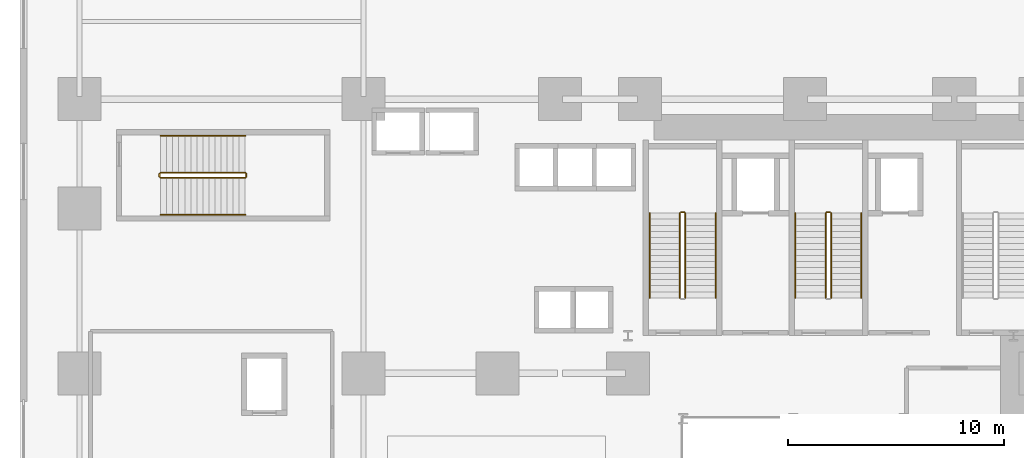
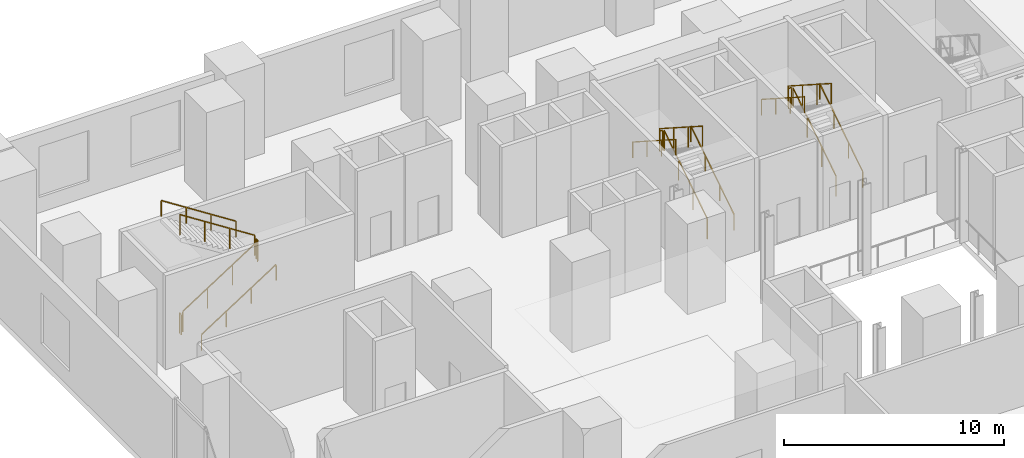
# One storey, part 14 of 15: 16 railings.
"""IFC4 building model written with IfcOpenShell, lengths in metres."""

from ifc_helpers import new_model, si_unit, direction, frame, origin, origin_2d, place, context, subcontext, project, spatial, rectangle, extrude, source, transform, mapped, material, type_object, element, save


model = new_model("IFC4")

# Units and contexts
model_context = context("Model", 3, precision=1e-05, world=origin(), true_north=direction((0.0, 1.0)))
body_context = subcontext(model_context, "Body", "Model", "MODEL_VIEW")
ifc_project = project(units=[si_unit("LENGTHUNIT", "METRE"), si_unit("AREAUNIT", "SQUARE_METRE"), si_unit("VOLUMEUNIT", "CUBIC_METRE"), si_unit("PLANEANGLEUNIT", "RADIAN"), si_unit("MASSUNIT", "GRAM", prefix="KILO")], contexts=[model_context])

# Site, building, storey
site_placement = place(None, origin())
site = spatial("IfcSite", under=ifc_project, at=site_placement, CompositionType="ELEMENT")
building_placement = place(site_placement, origin())
building = spatial("IfcBuilding", under=site, at=building_placement, Name="Vardaveli Station Tower", CompositionType="ELEMENT")
storey_placement = place(building_placement, frame((0.0, 0.0, 6.0)))
storey = spatial("IfcBuildingStorey", under=building, at=storey_placement, Name="L02", CompositionType="ELEMENT", Elevation=6.0)

# Railings
ifc_material = material(Name="Brushed AISI 316 stainless steel", Category="steel")
railing_type_1 = type_object("IfcRailingType", Name="RL-GUARD-1150", PredefinedType="GUARDRAIL", material=ifc_material)
shared_shape_1 = source(origin(), body_context, "Body", "SweptSolid", [
    extrude(rectangle(XDim=0.048095703125, YDim=0.048095703125, at=origin_2d()), frame((0.0, 0.0, 1.1259765625), z_axis=(0.0, 0.841186985886, 0.540744352514), x_axis=(-1.0, 0.0, 0.0)), (0.0, 0.0, 1.0), 4.660400390625),
    extrude(rectangle(XDim=0.0419921875, YDim=0.0419921875, at=origin_2d()), origin(), (0.0, 0.0, 1.0), 1.101806640625),
    extrude(rectangle(XDim=0.0419921875, YDim=0.0419921875, at=origin_2d()), frame((0.0, 1.306640625, 0.840087890625)), (0.0, 0.0, 1.0), 1.101806640625),
    extrude(rectangle(XDim=0.0419921875, YDim=0.0419921875, at=origin_2d()), frame((0.0, 2.613525390625, 1.679931640625)), (0.0, 0.0, 1.0), 1.101806640625),
    extrude(rectangle(XDim=0.0419921875, YDim=0.0419921875, at=origin_2d()), frame((0.0, 3.920166015625, 2.52001953125)), (0.0, 0.0, 1.0), 1.101806640625),
])
for number, where, name in (
    (1, (31.300048828125, 32.39990234375, 0.179931640625), "L02 ST-1 stair guard 1"),
    (2, (38.050048828125, 32.39990234375, 0.179931640625), "L02 ST-2 stair guard 1"),
):
    element("IfcRailing", number, at=place(storey_placement, frame(where)), inside=storey, type_object=railing_type_1, Name=name, PredefinedType="GUARDRAIL", context=body_context, shape_type="MappedRepresentation", body=[
        mapped(shared_shape_1, transform((0.0, 0.0, 0.0), scale=1.0)),
    ])
shared_shape_2 = source(origin(), body_context, "Body", "SweptSolid", [
    extrude(rectangle(XDim=0.048095703125, YDim=0.048095703125, at=origin_2d()), frame((0.0, 0.0, 1.1259765625), z_axis=(-1.0, 0.0, 0.0), x_axis=(0.0, -1.0, 0.0)), (0.0, 0.0, 1.0), 0.14990234375),
    extrude(rectangle(XDim=0.0419921875, YDim=0.0419921875, at=origin_2d()), origin(), (0.0, 0.0, 1.0), 1.101806640625),
    extrude(rectangle(XDim=0.0419921875, YDim=0.0419921875, at=origin_2d()), frame((-0.14990234375, 0.0, 0.0)), (0.0, 0.0, 1.0), 1.101806640625),
])
for number, where, name in (
    (3, (31.25, 36.3701171875, 2.699951171875), "L02 ST-1 stair guard 2"),
    (4, (38.0, 36.3701171875, 2.699951171875), "L02 ST-2 stair guard 2"),
):
    element("IfcRailing", number, at=place(storey_placement, frame(where)), inside=storey, type_object=railing_type_1, Name=name, PredefinedType="GUARDRAIL", context=body_context, shape_type="MappedRepresentation", body=[
        mapped(shared_shape_2, transform((0.0, 0.0, 0.0), scale=1.0)),
    ])
shared_shape_3 = source(origin(), body_context, "Body", "SweptSolid", [
    extrude(rectangle(XDim=0.048095703125, YDim=0.048095703125, at=origin_2d()), frame((0.0, 0.0, 1.1259765625), z_axis=(0.0, -0.841186985886, 0.540744352514), x_axis=(1.0, 0.0, 0.0)), (0.0, 0.0, 1.0), 4.660400390625),
    extrude(rectangle(XDim=0.0419921875, YDim=0.0419921875, at=origin_2d()), origin(), (0.0, 0.0, 1.0), 1.101806640625),
    extrude(rectangle(XDim=0.0419921875, YDim=0.0419921875, at=origin_2d()), frame((0.0, -1.306640625, 0.840087890625)), (0.0, 0.0, 1.0), 1.101806640625),
    extrude(rectangle(XDim=0.0419921875, YDim=0.0419921875, at=origin_2d()), frame((0.0, -2.613525390625, 1.679931640625)), (0.0, 0.0, 1.0), 1.101806640625),
    extrude(rectangle(XDim=0.0419921875, YDim=0.0419921875, at=origin_2d()), frame((0.0, -3.920166015625, 2.52001953125)), (0.0, 0.0, 1.0), 1.101806640625),
])
for number, where, name in (
    (5, (31.050048828125, 36.320068359375, 2.8798828125), "L02 ST-1 stair guard 3"),
    (6, (37.800048828125, 36.320068359375, 2.8798828125), "L02 ST-2 stair guard 3"),
):
    element("IfcRailing", number, at=place(storey_placement, frame(where)), inside=storey, type_object=railing_type_1, Name=name, PredefinedType="GUARDRAIL", context=body_context, shape_type="MappedRepresentation", body=[
        mapped(shared_shape_3, transform((0.0, 0.0, 0.0), scale=1.0)),
    ])
railing_type_2 = type_object("IfcRailingType", Name="RL-HAND-900", PredefinedType="HANDRAIL", material=ifc_material)
shared_shape_4 = source(origin(), body_context, "Body", "SweptSolid", [
    extrude(rectangle(XDim=0.048095703125, YDim=0.048095703125, at=origin_2d()), frame((0.0, 0.0, 0.8759765625), z_axis=(0.0, 0.841186985886, 0.540744352514), x_axis=(-1.0, 0.0, 0.0)), (0.0, 0.0, 1.0), 4.660400390625),
    extrude(rectangle(XDim=0.0419921875, YDim=0.0419921875, at=origin_2d()), origin(), (0.0, 0.0, 1.0), 0.851806640625),
    extrude(rectangle(XDim=0.0419921875, YDim=0.0419921875, at=origin_2d()), frame((0.0, 1.306640625, 0.840087890625)), (0.0, 0.0, 1.0), 0.851806640625),
    extrude(rectangle(XDim=0.0419921875, YDim=0.0419921875, at=origin_2d()), frame((0.0, 2.613525390625, 1.679931640625)), (0.0, 0.0, 1.0), 0.851806640625),
    extrude(rectangle(XDim=0.0419921875, YDim=0.0419921875, at=origin_2d()), frame((0.0, 3.920166015625, 2.52001953125)), (0.0, 0.0, 1.0), 0.851806640625),
])
for number, where, name in (
    (7, (32.699951171875, 32.39990234375, 0.179931640625), "L02 ST-1 stair handrail 1"),
    (8, (39.449951171875, 32.39990234375, 0.179931640625), "L02 ST-2 stair handrail 1"),
):
    element("IfcRailing", number, at=place(storey_placement, frame(where)), inside=storey, type_object=railing_type_2, Name=name, PredefinedType="HANDRAIL", context=body_context, shape_type="MappedRepresentation", body=[
        mapped(shared_shape_4, transform((0.0, 0.0, 0.0), scale=1.0)),
    ])
shared_shape_5 = source(origin(), body_context, "Body", "SweptSolid", [
    extrude(rectangle(XDim=0.048095703125, YDim=0.048095703125, at=origin_2d()), frame((0.0, 0.0, 0.8759765625), z_axis=(0.0, -0.841186985886, 0.540744352514), x_axis=(1.0, 0.0, 0.0)), (0.0, 0.0, 1.0), 4.660400390625),
    extrude(rectangle(XDim=0.0419921875, YDim=0.0419921875, at=origin_2d()), origin(), (0.0, 0.0, 1.0), 0.851806640625),
    extrude(rectangle(XDim=0.0419921875, YDim=0.0419921875, at=origin_2d()), frame((0.0, -1.306640625, 0.840087890625)), (0.0, 0.0, 1.0), 0.851806640625),
    extrude(rectangle(XDim=0.0419921875, YDim=0.0419921875, at=origin_2d()), frame((0.0, -2.613525390625, 1.679931640625)), (0.0, 0.0, 1.0), 0.851806640625),
    extrude(rectangle(XDim=0.0419921875, YDim=0.0419921875, at=origin_2d()), frame((0.0, -3.920166015625, 2.52001953125)), (0.0, 0.0, 1.0), 0.851806640625),
])
for number, where, name in (
    (9, (29.64990234375, 36.320068359375, 2.8798828125), "L02 ST-1 stair handrail 2"),
    (10, (36.39990234375, 36.320068359375, 2.8798828125), "L02 ST-2 stair handrail 2"),
):
    element("IfcRailing", number, at=place(storey_placement, frame(where)), inside=storey, type_object=railing_type_2, Name=name, PredefinedType="HANDRAIL", context=body_context, shape_type="MappedRepresentation", body=[
        mapped(shared_shape_5, transform((0.0, 0.0, 0.0), scale=1.0)),
    ])
shared_shape_6 = source(origin(), body_context, "Body", "SweptSolid", [
    extrude(rectangle(XDim=0.048095703125, YDim=0.048095703125, at=origin_2d()), frame((0.0, 0.0, 1.1259765625), z_axis=(0.841171666519, 0.0, 0.540768182723), x_axis=(0.0, 1.0, 0.0)), (0.0, 0.0, 1.0), 4.66015625),
    extrude(rectangle(XDim=0.0419921875, YDim=0.0419921875, at=origin_2d()), origin(), (0.0, 0.0, 1.0), 1.101806640625),
    extrude(rectangle(XDim=0.0419921875, YDim=0.0419921875, at=origin_2d()), frame((1.306640625, 0.0, 0.840087890625)), (0.0, 0.0, 1.0), 1.101806640625),
    extrude(rectangle(XDim=0.0419921875, YDim=0.0419921875, at=origin_2d()), frame((2.61328125, 0.0, 1.679931640625)), (0.0, 0.0, 1.0), 1.101806640625),
    extrude(rectangle(XDim=0.0419921875, YDim=0.0419921875, at=origin_2d()), frame((3.919921875, 0.0, 2.52001953125)), (0.0, 0.0, 1.0), 1.101806640625),
])
railing_1_placement = place(storey_placement, frame((7.0, 37.949951171875, 0.179931640625)))
element("IfcRailing", 11, at=railing_1_placement, inside=storey, type_object=railing_type_1, Name="L02 ST-P1 stair guard 1", PredefinedType="GUARDRAIL", context=body_context, shape_type="MappedRepresentation", body=[
    mapped(shared_shape_6, transform((0.0, 0.0, 0.0), scale=1.0)),
])
shared_shape_7 = source(origin(), body_context, "Body", "SweptSolid", [
    extrude(rectangle(XDim=0.048095703125, YDim=0.048095703125, at=origin_2d()), frame((0.0, 0.0, 1.1259765625), z_axis=(0.0, 1.0, 0.0), x_axis=(-1.0, 0.0, 0.0)), (0.0, 0.0, 1.0), 0.14990234375),
    extrude(rectangle(XDim=0.0419921875, YDim=0.0419921875, at=origin_2d()), origin(), (0.0, 0.0, 1.0), 1.101806640625),
    extrude(rectangle(XDim=0.0419921875, YDim=0.0419921875, at=origin_2d()), frame((0.0, 0.14990234375, 0.0)), (0.0, 0.0, 1.0), 1.101806640625),
])
for number, where, name in (
    (12, (10.969970703125, 38.0, 2.699951171875), "L02 ST-P1 stair guard 2"),
    (13, (6.949951171875, 38.0, 0.0), "L02 ST-P1 stair guard 4"),
):
    element("IfcRailing", number, at=place(storey_placement, frame(where)), inside=storey, type_object=railing_type_1, Name=name, PredefinedType="GUARDRAIL", context=body_context, shape_type="MappedRepresentation", body=[
        mapped(shared_shape_7, transform((0.0, 0.0, 0.0), scale=1.0)),
    ])
shared_shape_8 = source(origin(), body_context, "Body", "SweptSolid", [
    extrude(rectangle(XDim=0.048095703125, YDim=0.048095703125, at=origin_2d()), frame((0.0, 0.0, 1.1259765625), z_axis=(-0.841171666519, 0.0, 0.540768182723), x_axis=(0.0, -1.0, 0.0)), (0.0, 0.0, 1.0), 4.66015625),
    extrude(rectangle(XDim=0.0419921875, YDim=0.0419921875, at=origin_2d()), origin(), (0.0, 0.0, 1.0), 1.101806640625),
    extrude(rectangle(XDim=0.0419921875, YDim=0.0419921875, at=origin_2d()), frame((-1.306640625, 0.0, 0.840087890625)), (0.0, 0.0, 1.0), 1.101806640625),
    extrude(rectangle(XDim=0.0419921875, YDim=0.0419921875, at=origin_2d()), frame((-2.61328125, 0.0, 1.679931640625)), (0.0, 0.0, 1.0), 1.101806640625),
    extrude(rectangle(XDim=0.0419921875, YDim=0.0419921875, at=origin_2d()), frame((-3.919921875, 0.0, 2.52001953125)), (0.0, 0.0, 1.0), 1.101806640625),
])
railing_2_placement = place(storey_placement, frame((10.919921875, 38.199951171875, 2.8798828125)))
element("IfcRailing", 14, at=railing_2_placement, inside=storey, type_object=railing_type_1, Name="L02 ST-P1 stair guard 3", PredefinedType="GUARDRAIL", context=body_context, shape_type="MappedRepresentation", body=[
    mapped(shared_shape_8, transform((0.0, 0.0, 0.0), scale=1.0)),
])
shared_shape_9 = source(origin(), body_context, "Body", "SweptSolid", [
    extrude(rectangle(XDim=0.048095703125, YDim=0.048095703125, at=origin_2d()), frame((0.0, 0.0, 0.8759765625), z_axis=(0.841171666519, 0.0, 0.540768182723), x_axis=(0.0, 1.0, 0.0)), (0.0, 0.0, 1.0), 4.66015625),
    extrude(rectangle(XDim=0.0419921875, YDim=0.0419921875, at=origin_2d()), origin(), (0.0, 0.0, 1.0), 0.851806640625),
    extrude(rectangle(XDim=0.0419921875, YDim=0.0419921875, at=origin_2d()), frame((1.306640625, 0.0, 0.840087890625)), (0.0, 0.0, 1.0), 0.851806640625),
    extrude(rectangle(XDim=0.0419921875, YDim=0.0419921875, at=origin_2d()), frame((2.61328125, 0.0, 1.679931640625)), (0.0, 0.0, 1.0), 0.851806640625),
    extrude(rectangle(XDim=0.0419921875, YDim=0.0419921875, at=origin_2d()), frame((3.919921875, 0.0, 2.52001953125)), (0.0, 0.0, 1.0), 0.851806640625),
])
railing_3_placement = place(storey_placement, frame((7.0, 36.25, 0.179931640625)))
element("IfcRailing", 15, at=railing_3_placement, inside=storey, type_object=railing_type_2, Name="L02 ST-P1 stair handrail 1", PredefinedType="HANDRAIL", context=body_context, shape_type="MappedRepresentation", body=[
    mapped(shared_shape_9, transform((0.0, 0.0, 0.0), scale=1.0)),
])
shared_shape_10 = source(origin(), body_context, "Body", "SweptSolid", [
    extrude(rectangle(XDim=0.048095703125, YDim=0.048095703125, at=origin_2d()), frame((0.0, 0.0, 0.8759765625), z_axis=(-0.841171666519, 0.0, 0.540768182723), x_axis=(0.0, -1.0, 0.0)), (0.0, 0.0, 1.0), 4.66015625),
    extrude(rectangle(XDim=0.0419921875, YDim=0.0419921875, at=origin_2d()), origin(), (0.0, 0.0, 1.0), 0.851806640625),
    extrude(rectangle(XDim=0.0419921875, YDim=0.0419921875, at=origin_2d()), frame((-1.306640625, 0.0, 0.840087890625)), (0.0, 0.0, 1.0), 0.851806640625),
    extrude(rectangle(XDim=0.0419921875, YDim=0.0419921875, at=origin_2d()), frame((-2.61328125, 0.0, 1.679931640625)), (0.0, 0.0, 1.0), 0.851806640625),
    extrude(rectangle(XDim=0.0419921875, YDim=0.0419921875, at=origin_2d()), frame((-3.919921875, 0.0, 2.52001953125)), (0.0, 0.0, 1.0), 0.851806640625),
])
railing_4_placement = place(storey_placement, frame((10.919921875, 39.89990234375, 2.8798828125)))
element("IfcRailing", 16, at=railing_4_placement, inside=storey, type_object=railing_type_2, Name="L02 ST-P1 stair handrail 2", PredefinedType="HANDRAIL", context=body_context, shape_type="MappedRepresentation", body=[
    mapped(shared_shape_10, transform((0.0, 0.0, 0.0), scale=1.0)),
])

save(model, "model.ifc")
